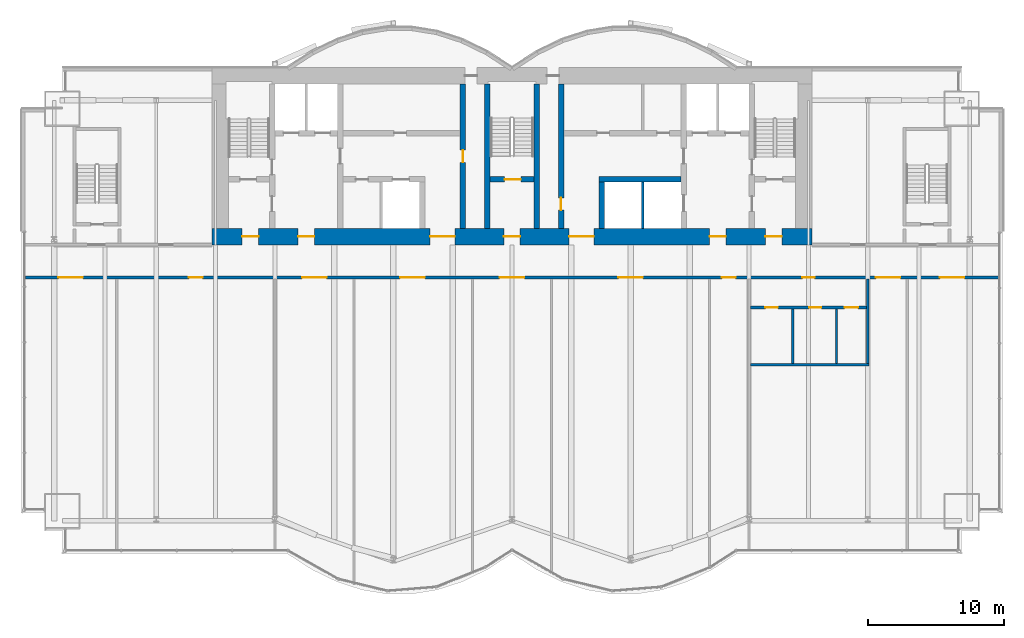
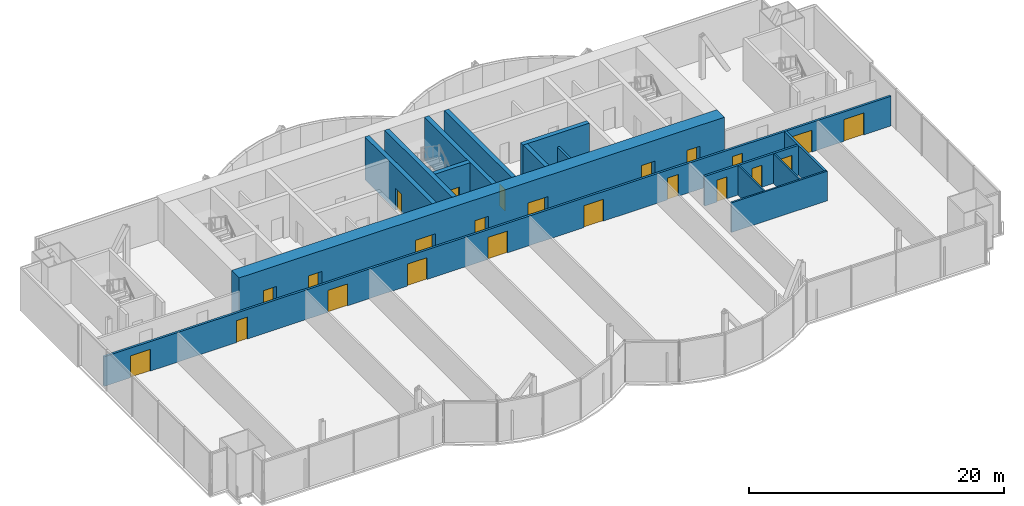
# One storey, part 17 of 22: 23 doors, 15 walls, 23 openings.
"""IFC4 building model written with IfcOpenShell, lengths in metres."""

from ifc_helpers import new_model, si_unit, direction, frame, frame_2d, origin, place, context, subcontext, project, spatial, rectangle, extrude, material, layer, layer_set, type_object, element, fill, save


model = new_model("IFC4")

# Units and contexts
model_context = context("Model", 3, precision=1e-05, world=origin(), true_north=direction((0.0, 1.0)))
body_context = subcontext(model_context, "Body", "Model", "MODEL_VIEW")
ifc_project = project(units=[si_unit("LENGTHUNIT", "METRE"), si_unit("AREAUNIT", "SQUARE_METRE"), si_unit("VOLUMEUNIT", "CUBIC_METRE"), si_unit("PLANEANGLEUNIT", "RADIAN"), si_unit("MASSUNIT", "GRAM", prefix="KILO")], contexts=[model_context])

# Site, building, storey
site_placement = place(None, origin())
site = spatial("IfcSite", under=ifc_project, at=site_placement, CompositionType="ELEMENT")
building_placement = place(site_placement, origin())
building = spatial("IfcBuilding", under=site, at=building_placement, Name="Bicima Exchange Tower", CompositionType="ELEMENT")
storey_placement = place(building_placement, frame((0.0, 0.0, 148.60009765625)))
storey = spatial("IfcBuildingStorey", under=building, at=storey_placement, Name="L32", CompositionType="ELEMENT", Elevation=148.60009765625)

# Wall
ifc_material_1 = material(Name="Gypsum board partition")
ifc_layer_1 = layer(ifc_material_1, 0.199951171875)
ifc_layer_set_1 = layer_set([ifc_layer_1], Name="Gypsum board partition")
wall_type_1 = type_object("IfcWallType", Name="Fire-rated gypsum partition 200 EI120", PredefinedType="PARTITIONING", material=ifc_layer_set_1)
wall_1_placement = place(storey_placement, frame((9.60009765625, -11.800048828125, 0.0), z_axis=(0.0, 0.0, 1.0), x_axis=(0.0, 1.0, 0.0)))
element("IfcWall", 1, at=wall_1_placement, inside=storey, type_object=wall_type_1, Name="partition wall 18", PredefinedType="PARTITIONING", context=body_context, shape_type="SweptSolid", body=[
    extrude(rectangle(XDim=3.400146484375, YDim=0.199951171875, at=frame_2d((1.7001953125, 0.0))), origin(), (0.0, 0.0, 1.0), 2.840087890625),
])

# Wall, openings, doors
ifc_layer_2 = layer(ifc_material_1, 0.199951171875)
ifc_layer_set_2 = layer_set([ifc_layer_2], Name="Gypsum board partition")
wall_type_2 = type_object("IfcWallType", Name="Fire-rated gypsum partition 200 EI60", PredefinedType="PARTITIONING", material=ifc_layer_set_2)
wall_2_placement = place(storey_placement, frame((17.5, -17.60009765625, 0.0), z_axis=(0.0, 0.0, 1.0), x_axis=(1.0, 0.0, 0.0)))
wall_2 = element("IfcWall", 2, at=wall_2_placement, inside=storey, type_object=wall_type_2, Name="partition wall 2", PredefinedType="PARTITIONING", context=body_context, shape_type="SweptSolid", body=[
    extrude(rectangle(XDim=8.5, YDim=0.199951171875, at=frame_2d((4.25, 0.0))), origin(), (0.0, 0.0, 1.0), 2.840087890625),
])
opening_1_placement = place(wall_2_placement, frame((1.10009765625, 0.0, 0.0)))
opening_1 = element("IfcOpeningElement", 3, at=opening_1_placement, cuts=wall_2, Name="Opening L32-015", PredefinedType="OPENING", context=body_context, shape_type="SweptSolid", body=[
    extrude(rectangle(XDim=0.89990234375, YDim=2.10009765625, at=frame_2d((0.449951171875, 1.050048828125))), frame((0.0, 0.11181640625, 0.0), z_axis=(0.0, -1.0, 0.0), x_axis=(1.0, 0.0, 0.0)), (0.0, 0.0, 1.0), 0.223876953125),
])
opening_2_placement = place(wall_2_placement, frame((4.300048828125, 0.0, 0.0)))
opening_2 = element("IfcOpeningElement", 4, at=opening_2_placement, cuts=wall_2, Name="Opening L32-016", PredefinedType="OPENING", context=body_context, shape_type="SweptSolid", body=[
    extrude(rectangle(XDim=0.89990234375, YDim=2.10009765625, at=frame_2d((0.449951171875, 1.050048828125))), frame((0.0, 0.11181640625, 0.0), z_axis=(0.0, -1.0, 0.0), x_axis=(1.0, 0.0, 0.0)), (0.0, 0.0, 1.0), 0.223876953125),
])
opening_3_placement = place(wall_2_placement, frame((6.89990234375, 0.0, 0.0)))
opening_3 = element("IfcOpeningElement", 5, at=opening_3_placement, cuts=wall_2, Name="Opening L32-017", PredefinedType="OPENING", context=body_context, shape_type="SweptSolid", body=[
    extrude(rectangle(XDim=1.0, YDim=2.10009765625, at=frame_2d((0.5, 1.050048828125))), frame((0.0, 0.11181640625, 0.0), z_axis=(0.0, -1.0, 0.0), x_axis=(1.0, 0.0, 0.0)), (0.0, 0.0, 1.0), 0.223876953125),
])
ifc_material_2 = material(Name="Steel fire door leaf", Category="steel")
door_type_1 = type_object("IfcDoorType", Name="Door 1000 swing FD30S", OperationType="SINGLE_SWING_LEFT", PredefinedType="DOOR", material=ifc_material_2)
door_1_placement = place(opening_3_placement, frame((1.0, 0.0, 0.0), z_axis=(0.0, 0.0, 1.0), x_axis=(-1.0, 0.0, 0.0)))
door_1 = element("IfcDoor", 6, at=door_1_placement, inside=storey, type_object=door_type_1, Name="Door", OperationType="SINGLE_SWING_RIGHT", OverallHeight=2.10009765625, OverallWidth=1.0, PredefinedType="DOOR", context=body_context, shape_type="SweptSolid", body=[
    extrude(rectangle(XDim=1.0, YDim=2.10009765625, at=frame_2d((0.5, 1.050048828125))), frame((0.0, 0.02490234375, 0.0), z_axis=(0.0, -1.0, 0.0), x_axis=(1.0, 0.0, 0.0)), (0.0, 0.0, 1.0), 0.050048828125),
])
fill(opening_3, door_1)
door_type_2 = type_object("IfcDoorType", Name="Door 900 swing FD30S", OperationType="SINGLE_SWING_LEFT", PredefinedType="DOOR", material=ifc_material_2)
door_2_placement = place(opening_1_placement, frame((0.89990234375, 0.0, 0.0), z_axis=(0.0, 0.0, 1.0), x_axis=(-1.0, 0.0, 0.0)))
door_2 = element("IfcDoor", 7, at=door_2_placement, inside=storey, type_object=door_type_2, Name="Door", OperationType="SINGLE_SWING_RIGHT", OverallHeight=2.10009765625, OverallWidth=0.89990234375, PredefinedType="DOOR", context=body_context, shape_type="SweptSolid", body=[
    extrude(rectangle(XDim=0.89990234375, YDim=2.10009765625, at=frame_2d((0.449951171875, 1.050048828125))), frame((0.0, 0.02490234375, 0.0), z_axis=(0.0, -1.0, 0.0), x_axis=(1.0, 0.0, 0.0)), (0.0, 0.0, 1.0), 0.050048828125),
])
fill(opening_1, door_2)
door_3_placement = place(opening_2_placement, frame((0.89990234375, 0.0, 0.0), z_axis=(0.0, 0.0, 1.0), x_axis=(-1.0, 0.0, 0.0)))
door_3 = element("IfcDoor", 8, at=door_3_placement, inside=storey, type_object=door_type_2, Name="Door", OperationType="SINGLE_SWING_LEFT", OverallHeight=2.10009765625, OverallWidth=0.89990234375, PredefinedType="DOOR", context=body_context, shape_type="SweptSolid", body=[
    extrude(rectangle(XDim=0.89990234375, YDim=2.10009765625, at=frame_2d((0.449951171875, 1.050048828125))), frame((0.0, 0.02490234375, 0.0), z_axis=(0.0, -1.0, 0.0), x_axis=(1.0, 0.0, 0.0)), (0.0, 0.0, 1.0), 0.050048828125),
])
fill(opening_2, door_3)

wall_3_placement = place(storey_placement, frame((-35.679931640625, -15.39990234375, 0.0), z_axis=(0.0, 0.0, 1.0), x_axis=(1.0, 0.0, 0.0)))
wall_3 = element("IfcWall", 9, at=wall_3_placement, inside=storey, type_object=wall_type_2, Name="partition wall 3", PredefinedType="PARTITIONING", context=body_context, shape_type="SweptSolid", body=[
    extrude(rectangle(XDim=71.35986328125, YDim=0.199951171875, at=frame_2d((35.679931640625, 0.0))), origin(), (0.0, 0.0, 1.0), 2.840087890625),
])
opening_4_placement = place(wall_3_placement, frame((2.39990234375, 0.0, 0.0)))
opening_4 = element("IfcOpeningElement", 10, at=opening_4_placement, cuts=wall_3, Name="Opening L32-007", PredefinedType="OPENING", context=body_context, shape_type="SweptSolid", body=[
    extrude(rectangle(XDim=1.800048828125, YDim=2.10009765625, at=frame_2d((0.89990234375, 1.050048828125))), frame((0.0, 0.11181640625, 0.0), z_axis=(0.0, -1.0, 0.0), x_axis=(1.0, 0.0, 0.0)), (0.0, 0.0, 1.0), 0.223876953125),
])
opening_5_placement = place(wall_3_placement, frame((11.97998046875, 0.0, 0.0)))
opening_5 = element("IfcOpeningElement", 11, at=opening_5_placement, cuts=wall_3, Name="Opening L32-008", PredefinedType="OPENING", context=body_context, shape_type="SweptSolid", body=[
    extrude(rectangle(XDim=1.0, YDim=2.10009765625, at=frame_2d((0.5, 1.050048828125))), frame((0.0, 0.11181640625, 0.0), z_axis=(0.0, -1.0, 0.0), x_axis=(1.0, 0.0, 0.0)), (0.0, 0.0, 1.0), 0.223876953125),
])
opening_6_placement = place(wall_3_placement, frame((20.280029296875, 0.0, 0.0)))
opening_6 = element("IfcOpeningElement", 12, at=opening_6_placement, cuts=wall_3, Name="Opening L32-009", PredefinedType="OPENING", context=body_context, shape_type="SweptSolid", body=[
    extrude(rectangle(XDim=1.800048828125, YDim=2.10009765625, at=frame_2d((0.89990234375, 1.050048828125))), frame((0.0, 0.11181640625, 0.0), z_axis=(0.0, -1.0, 0.0), x_axis=(1.0, 0.0, 0.0)), (0.0, 0.0, 1.0), 0.223876953125),
])
opening_7_placement = place(wall_3_placement, frame((27.47998046875, 0.0, 0.0)))
opening_7 = element("IfcOpeningElement", 13, at=opening_7_placement, cuts=wall_3, Name="Opening L32-010", PredefinedType="OPENING", context=body_context, shape_type="SweptSolid", body=[
    extrude(rectangle(XDim=1.800048828125, YDim=2.10009765625, at=frame_2d((0.89990234375, 1.050048828125))), frame((0.0, 0.11181640625, 0.0), z_axis=(0.0, -1.0, 0.0), x_axis=(1.0, 0.0, 0.0)), (0.0, 0.0, 1.0), 0.223876953125),
])
opening_8_placement = place(wall_3_placement, frame((34.780029296875, 0.0, 0.0)))
opening_8 = element("IfcOpeningElement", 14, at=opening_8_placement, cuts=wall_3, Name="Opening L32-011", PredefinedType="OPENING", context=body_context, shape_type="SweptSolid", body=[
    extrude(rectangle(XDim=1.800048828125, YDim=2.10009765625, at=frame_2d((0.89990234375, 1.050048828125))), frame((0.0, 0.11181640625, 0.0), z_axis=(0.0, -1.0, 0.0), x_axis=(1.0, 0.0, 0.0)), (0.0, 0.0, 1.0), 0.223876953125),
])
opening_9_placement = place(wall_3_placement, frame((43.47998046875, 0.0, 0.0)))
opening_9 = element("IfcOpeningElement", 15, at=opening_9_placement, cuts=wall_3, Name="Opening L32-012", PredefinedType="OPENING", context=body_context, shape_type="SweptSolid", body=[
    extrude(rectangle(XDim=1.800048828125, YDim=2.10009765625, at=frame_2d((0.89990234375, 1.050048828125))), frame((0.0, 0.11181640625, 0.0), z_axis=(0.0, -1.0, 0.0), x_axis=(1.0, 0.0, 0.0)), (0.0, 0.0, 1.0), 0.223876953125),
])
opening_10_placement = place(wall_3_placement, frame((51.080078125, 0.0, 0.0)))
opening_10 = element("IfcOpeningElement", 16, at=opening_10_placement, cuts=wall_3, Name="Opening L32-013", PredefinedType="OPENING", context=body_context, shape_type="SweptSolid", body=[
    extrude(rectangle(XDim=1.0, YDim=2.10009765625, at=frame_2d((0.5, 1.050048828125))), frame((0.0, 0.11181640625, 0.0), z_axis=(0.0, -1.0, 0.0), x_axis=(1.0, 0.0, 0.0)), (0.0, 0.0, 1.0), 0.223876953125),
])
opening_11_placement = place(wall_3_placement, frame((56.97998046875, 0.0, 0.0)))
opening_11 = element("IfcOpeningElement", 17, at=opening_11_placement, cuts=wall_3, Name="Opening L32-014", PredefinedType="OPENING", context=body_context, shape_type="SweptSolid", body=[
    extrude(rectangle(XDim=0.89990234375, YDim=2.10009765625, at=frame_2d((0.449951171875, 1.050048828125))), frame((0.0, 0.11181640625, 0.0), z_axis=(0.0, -1.0, 0.0), x_axis=(1.0, 0.0, 0.0)), (0.0, 0.0, 1.0), 0.223876953125),
])
opening_12_placement = place(wall_3_placement, frame((62.3798828125, 0.0, 0.0)))
opening_12 = element("IfcOpeningElement", 18, at=opening_12_placement, cuts=wall_3, Name="Opening L32-018", PredefinedType="OPENING", context=body_context, shape_type="SweptSolid", body=[
    extrude(rectangle(XDim=1.800048828125, YDim=2.10009765625, at=frame_2d((0.89990234375, 1.050048828125))), frame((0.0, 0.11181640625, 0.0), z_axis=(0.0, -1.0, 0.0), x_axis=(1.0, 0.0, 0.0)), (0.0, 0.0, 1.0), 0.223876953125),
])
opening_13_placement = place(wall_3_placement, frame((67.080078125, 0.0, 0.0)))
opening_13 = element("IfcOpeningElement", 19, at=opening_13_placement, cuts=wall_3, Name="Opening L32-019", PredefinedType="OPENING", context=body_context, shape_type="SweptSolid", body=[
    extrude(rectangle(XDim=1.800048828125, YDim=2.10009765625, at=frame_2d((0.89990234375, 1.050048828125))), frame((0.0, 0.11181640625, 0.0), z_axis=(0.0, -1.0, 0.0), x_axis=(1.0, 0.0, 0.0)), (0.0, 0.0, 1.0), 0.223876953125),
])
door_4_placement = place(opening_5_placement, frame((1.0, 0.0, 0.0), z_axis=(0.0, 0.0, 1.0), x_axis=(-1.0, 0.0, 0.0)))
door_4 = element("IfcDoor", 20, at=door_4_placement, inside=storey, type_object=door_type_1, Name="Door", OperationType="SINGLE_SWING_RIGHT", OverallHeight=2.10009765625, OverallWidth=1.0, PredefinedType="DOOR", context=body_context, shape_type="SweptSolid", body=[
    extrude(rectangle(XDim=1.0, YDim=2.10009765625, at=frame_2d((0.5, 1.050048828125))), frame((0.0, 0.02490234375, 0.0), z_axis=(0.0, -1.0, 0.0), x_axis=(1.0, 0.0, 0.0)), (0.0, 0.0, 1.0), 0.050048828125),
])
fill(opening_5, door_4)
door_5_placement = place(opening_10_placement, frame((1.0, 0.0, 0.0), z_axis=(0.0, 0.0, 1.0), x_axis=(-1.0, 0.0, 0.0)))
door_5 = element("IfcDoor", 21, at=door_5_placement, inside=storey, type_object=door_type_1, Name="Door", OperationType="SINGLE_SWING_LEFT", OverallHeight=2.10009765625, OverallWidth=1.0, PredefinedType="DOOR", context=body_context, shape_type="SweptSolid", body=[
    extrude(rectangle(XDim=1.0, YDim=2.10009765625, at=frame_2d((0.5, 1.050048828125))), frame((0.0, 0.02490234375, 0.0), z_axis=(0.0, -1.0, 0.0), x_axis=(1.0, 0.0, 0.0)), (0.0, 0.0, 1.0), 0.050048828125),
])
fill(opening_10, door_5)
door_type_3 = type_object("IfcDoorType", Name="Door 1800 double swing FD30S", OperationType="DOUBLE_DOOR_SINGLE_SWING", PredefinedType="DOOR", material=ifc_material_2)
door_6_placement = place(opening_4_placement, origin())
door_6 = element("IfcDoor", 22, at=door_6_placement, inside=storey, type_object=door_type_3, Name="Door", OperationType="SINGLE_SWING_LEFT", OverallHeight=2.10009765625, OverallWidth=1.800048828125, PredefinedType="DOOR", context=body_context, shape_type="SweptSolid", body=[
    extrude(rectangle(XDim=1.800048828125, YDim=2.10009765625, at=frame_2d((0.89990234375, 1.050048828125))), frame((0.0, 0.02490234375, 0.0), z_axis=(0.0, -1.0, 0.0), x_axis=(1.0, 0.0, 0.0)), (0.0, 0.0, 1.0), 0.050048828125),
])
fill(opening_4, door_6)
door_7_placement = place(opening_6_placement, origin())
door_7 = element("IfcDoor", 23, at=door_7_placement, inside=storey, type_object=door_type_3, Name="Door", OperationType="SINGLE_SWING_LEFT", OverallHeight=2.10009765625, OverallWidth=1.800048828125, PredefinedType="DOOR", context=body_context, shape_type="SweptSolid", body=[
    extrude(rectangle(XDim=1.800048828125, YDim=2.10009765625, at=frame_2d((0.89990234375, 1.050048828125))), frame((0.0, 0.02490234375, 0.0), z_axis=(0.0, -1.0, 0.0), x_axis=(1.0, 0.0, 0.0)), (0.0, 0.0, 1.0), 0.050048828125),
])
fill(opening_6, door_7)
door_8_placement = place(opening_7_placement, origin())
door_8 = element("IfcDoor", 24, at=door_8_placement, inside=storey, type_object=door_type_3, Name="Door", OperationType="SINGLE_SWING_LEFT", OverallHeight=2.10009765625, OverallWidth=1.800048828125, PredefinedType="DOOR", context=body_context, shape_type="SweptSolid", body=[
    extrude(rectangle(XDim=1.800048828125, YDim=2.10009765625, at=frame_2d((0.89990234375, 1.050048828125))), frame((0.0, 0.02490234375, 0.0), z_axis=(0.0, -1.0, 0.0), x_axis=(1.0, 0.0, 0.0)), (0.0, 0.0, 1.0), 0.050048828125),
])
fill(opening_7, door_8)
door_9_placement = place(opening_8_placement, origin())
door_9 = element("IfcDoor", 25, at=door_9_placement, inside=storey, type_object=door_type_3, Name="Door", OperationType="SINGLE_SWING_LEFT", OverallHeight=2.10009765625, OverallWidth=1.800048828125, PredefinedType="DOOR", context=body_context, shape_type="SweptSolid", body=[
    extrude(rectangle(XDim=1.800048828125, YDim=2.10009765625, at=frame_2d((0.89990234375, 1.050048828125))), frame((0.0, 0.02490234375, 0.0), z_axis=(0.0, -1.0, 0.0), x_axis=(1.0, 0.0, 0.0)), (0.0, 0.0, 1.0), 0.050048828125),
])
fill(opening_8, door_9)
door_10_placement = place(opening_9_placement, origin())
door_10 = element("IfcDoor", 26, at=door_10_placement, inside=storey, type_object=door_type_3, Name="Door", OperationType="SINGLE_SWING_LEFT", OverallHeight=2.10009765625, OverallWidth=1.800048828125, PredefinedType="DOOR", context=body_context, shape_type="SweptSolid", body=[
    extrude(rectangle(XDim=1.800048828125, YDim=2.10009765625, at=frame_2d((0.89990234375, 1.050048828125))), frame((0.0, 0.02490234375, 0.0), z_axis=(0.0, -1.0, 0.0), x_axis=(1.0, 0.0, 0.0)), (0.0, 0.0, 1.0), 0.050048828125),
])
fill(opening_9, door_10)
door_11_placement = place(opening_12_placement, origin())
door_11 = element("IfcDoor", 27, at=door_11_placement, inside=storey, type_object=door_type_3, Name="Door", OperationType="SINGLE_SWING_LEFT", OverallHeight=2.10009765625, OverallWidth=1.800048828125, PredefinedType="DOOR", context=body_context, shape_type="SweptSolid", body=[
    extrude(rectangle(XDim=1.800048828125, YDim=2.10009765625, at=frame_2d((0.89990234375, 1.050048828125))), frame((0.0, 0.02490234375, 0.0), z_axis=(0.0, -1.0, 0.0), x_axis=(1.0, 0.0, 0.0)), (0.0, 0.0, 1.0), 0.050048828125),
])
fill(opening_12, door_11)
door_12_placement = place(opening_13_placement, origin())
door_12 = element("IfcDoor", 28, at=door_12_placement, inside=storey, type_object=door_type_3, Name="Door", OperationType="SINGLE_SWING_LEFT", OverallHeight=2.10009765625, OverallWidth=1.800048828125, PredefinedType="DOOR", context=body_context, shape_type="SweptSolid", body=[
    extrude(rectangle(XDim=1.800048828125, YDim=2.10009765625, at=frame_2d((0.89990234375, 1.050048828125))), frame((0.0, 0.02490234375, 0.0), z_axis=(0.0, -1.0, 0.0), x_axis=(1.0, 0.0, 0.0)), (0.0, 0.0, 1.0), 0.050048828125),
])
fill(opening_13, door_12)
door_13_placement = place(opening_11_placement, frame((0.89990234375, 0.0, 0.0), z_axis=(0.0, 0.0, 1.0), x_axis=(-1.0, 0.0, 0.0)))
door_13 = element("IfcDoor", 29, at=door_13_placement, inside=storey, type_object=door_type_2, Name="Door", OperationType="SINGLE_SWING_RIGHT", OverallHeight=2.10009765625, OverallWidth=0.89990234375, PredefinedType="DOOR", context=body_context, shape_type="SweptSolid", body=[
    extrude(rectangle(XDim=0.89990234375, YDim=2.10009765625, at=frame_2d((0.449951171875, 1.050048828125))), frame((0.0, 0.02490234375, 0.0), z_axis=(0.0, -1.0, 0.0), x_axis=(1.0, 0.0, 0.0)), (0.0, 0.0, 1.0), 0.050048828125),
])
fill(opening_11, door_13)

# Walls
wall_4_placement = place(storey_placement, frame((26.10009765625, -21.72509765625, 0.0), z_axis=(0.0, 0.0, 1.0), x_axis=(0.0, 1.0, 0.0)))
element("IfcWall", 30, at=wall_4_placement, inside=storey, type_object=wall_type_2, Name="partition wall 25", PredefinedType="PARTITIONING", context=body_context, shape_type="SweptSolid", body=[
    extrude(rectangle(XDim=6.22509765625, YDim=0.199951171875, at=frame_2d((3.112548828125, 0.0))), origin(), (0.0, 0.0, 1.0), 2.840087890625),
])
ifc_layer_3 = layer(ifc_material_1, 0.14990234375)
ifc_layer_set_3 = layer_set([ifc_layer_3], Name="Gypsum board partition")
wall_type_3 = type_object("IfcWallType", Name="Gypsum partition 150", PredefinedType="PARTITIONING", material=ifc_layer_set_3)
wall_5_placement = place(storey_placement, frame((17.5, -21.800048828125, 0.0), z_axis=(0.0, 0.0, 1.0), x_axis=(1.0, 0.0, 0.0)))
element("IfcWall", 31, at=wall_5_placement, inside=storey, type_object=wall_type_3, Name="partition wall 1", PredefinedType="PARTITIONING", context=body_context, shape_type="SweptSolid", body=[
    extrude(rectangle(XDim=8.699951171875, YDim=0.14990234375, at=frame_2d((4.35009765625, 0.0))), origin(), (0.0, 0.0, 1.0), 2.840087890625),
])
for number, where, z_axis, x_axis, name in (
    (32, (20.60009765625, -21.72509765625, 0.0), (0.0, 0.0, 1.0), (0.0, 1.0, 0.0), "partition wall 23"),
    (33, (23.800048828125, -21.72509765625, 0.0), (0.0, 0.0, 1.0), (0.0, 1.0, 0.0), "partition wall 24"),
):
    element("IfcWall", number, at=place(storey_placement, frame(where, z_axis=z_axis, x_axis=x_axis)), inside=storey, type_object=wall_type_3, Name=name, PredefinedType="PARTITIONING", context=body_context, shape_type="SweptSolid", body=[
        extrude(rectangle(XDim=4.025146484375, YDim=0.14990234375, at=frame_2d((2.0126953125, 0.0))), origin(), (0.0, 0.0, 1.0), 2.840087890625),
    ])

# Wall, openings, doors
ifc_material_3 = material(Name="Concrete C50/60", Category="concrete")
ifc_layer_4 = layer(ifc_material_3, 1.199951171875)
ifc_layer_set_4 = layer_set([ifc_layer_4], Name="Concrete C50/60")
wall_type_4 = type_object("IfcWallType", Name="RC core wall 1200 C50/60", PredefinedType="SHEAR", material=ifc_layer_set_4)
wall_6_placement = place(storey_placement, frame((-22.0, -12.39990234375, 0.0), z_axis=(0.0, 0.0, 1.0), x_axis=(1.0, 0.0, 0.0)))
wall_6 = element("IfcWall", 34, at=wall_6_placement, inside=storey, type_object=wall_type_4, Name="Core wall south", PredefinedType="SHEAR", context=body_context, shape_type="SweptSolid", body=[
    extrude(rectangle(XDim=44.0, YDim=1.199951171875, at=frame_2d((22.0, 0.0))), origin(), (0.0, 0.0, 1.0), 4.099853515625),
])
opening_14_placement = place(wall_6_placement, frame((2.199951171875, 0.0, 0.0)))
opening_14 = element("IfcOpeningElement", 35, at=opening_14_placement, cuts=wall_6, Name="Opening L32-C18", PredefinedType="OPENING", context=body_context, shape_type="SweptSolid", body=[
    extrude(rectangle(XDim=1.199951171875, YDim=2.10009765625, at=frame_2d((0.60009765625, 1.050048828125))), frame((0.0, 0.61181640625, 0.0), z_axis=(0.0, -1.0, 0.0), x_axis=(1.0, 0.0, 0.0)), (0.0, 0.0, 1.0), 1.223876953125),
])
opening_15_placement = place(wall_6_placement, frame((21.39990234375, 0.0, 0.0)))
opening_15 = element("IfcOpeningElement", 36, at=opening_15_placement, cuts=wall_6, Name="Opening L32-C19", PredefinedType="OPENING", context=body_context, shape_type="SweptSolid", body=[
    extrude(rectangle(XDim=1.199951171875, YDim=2.10009765625, at=frame_2d((0.60009765625, 1.050048828125))), frame((0.0, 0.61181640625, 0.0), z_axis=(0.0, -1.0, 0.0), x_axis=(1.0, 0.0, 0.0)), (0.0, 0.0, 1.0), 1.223876953125),
])
opening_16_placement = place(wall_6_placement, frame((40.60009765625, 0.0, 0.0)))
opening_16 = element("IfcOpeningElement", 37, at=opening_16_placement, cuts=wall_6, Name="Opening L32-C20", PredefinedType="OPENING", context=body_context, shape_type="SweptSolid", body=[
    extrude(rectangle(XDim=1.199951171875, YDim=2.10009765625, at=frame_2d((0.60009765625, 1.050048828125))), frame((0.0, 0.61181640625, 0.0), z_axis=(0.0, -1.0, 0.0), x_axis=(1.0, 0.0, 0.0)), (0.0, 0.0, 1.0), 1.223876953125),
])
opening_17_placement = place(wall_6_placement, frame((16.0, 0.0, 0.0)))
opening_17 = element("IfcOpeningElement", 38, at=opening_17_placement, cuts=wall_6, Name="Opening L32-C21", PredefinedType="OPENING", context=body_context, shape_type="SweptSolid", body=[
    extrude(rectangle(XDim=1.800048828125, YDim=2.10009765625, at=frame_2d((0.89990234375, 1.050048828125))), frame((0.0, 0.61181640625, 0.0), z_axis=(0.0, -1.0, 0.0), x_axis=(1.0, 0.0, 0.0)), (0.0, 0.0, 1.0), 1.223876953125),
])
opening_18_placement = place(wall_6_placement, frame((6.300048828125, 0.0, 0.0)))
opening_18 = element("IfcOpeningElement", 39, at=opening_18_placement, cuts=wall_6, Name="Opening L32-C22", PredefinedType="OPENING", context=body_context, shape_type="SweptSolid", body=[
    extrude(rectangle(XDim=1.199951171875, YDim=2.10009765625, at=frame_2d((0.60009765625, 1.050048828125))), frame((0.0, 0.61181640625, 0.0), z_axis=(0.0, -1.0, 0.0), x_axis=(1.0, 0.0, 0.0)), (0.0, 0.0, 1.0), 1.223876953125),
])
opening_19_placement = place(wall_6_placement, frame((26.199951171875, 0.0, 0.0)))
opening_19 = element("IfcOpeningElement", 40, at=opening_19_placement, cuts=wall_6, Name="Opening L32-C23", PredefinedType="OPENING", context=body_context, shape_type="SweptSolid", body=[
    extrude(rectangle(XDim=1.800048828125, YDim=2.10009765625, at=frame_2d((0.89990234375, 1.050048828125))), frame((0.0, 0.61181640625, 0.0), z_axis=(0.0, -1.0, 0.0), x_axis=(1.0, 0.0, 0.0)), (0.0, 0.0, 1.0), 1.223876953125),
])
opening_20_placement = place(wall_6_placement, frame((36.5, 0.0, 0.0)))
opening_20 = element("IfcOpeningElement", 41, at=opening_20_placement, cuts=wall_6, Name="Opening L32-C24", PredefinedType="OPENING", context=body_context, shape_type="SweptSolid", body=[
    extrude(rectangle(XDim=1.199951171875, YDim=2.10009765625, at=frame_2d((0.60009765625, 1.050048828125))), frame((0.0, 0.61181640625, 0.0), z_axis=(0.0, -1.0, 0.0), x_axis=(1.0, 0.0, 0.0)), (0.0, 0.0, 1.0), 1.223876953125),
])
door_type_4 = type_object("IfcDoorType", Name="Door 1200 swing FD60S", OperationType="SINGLE_SWING_LEFT", PredefinedType="DOOR", material=ifc_material_2)
door_14_placement = place(opening_14_placement, frame((1.199951171875, 0.0, 0.0), z_axis=(0.0, 0.0, 1.0), x_axis=(-1.0, 0.0, 0.0)))
door_14 = element("IfcDoor", 42, at=door_14_placement, inside=storey, type_object=door_type_4, Name="Core door", OperationType="SINGLE_SWING_RIGHT", OverallHeight=2.10009765625, OverallWidth=1.199951171875, PredefinedType="DOOR", context=body_context, shape_type="SweptSolid", body=[
    extrude(rectangle(XDim=1.199951171875, YDim=2.10009765625, at=frame_2d((0.60009765625, 1.050048828125))), frame((0.0, 0.02490234375, 0.0), z_axis=(0.0, -1.0, 0.0), x_axis=(1.0, 0.0, 0.0)), (0.0, 0.0, 1.0), 0.050048828125),
])
fill(opening_14, door_14)
door_15_placement = place(opening_15_placement, frame((1.199951171875, 0.0, 0.0), z_axis=(0.0, 0.0, 1.0), x_axis=(-1.0, 0.0, 0.0)))
door_15 = element("IfcDoor", 43, at=door_15_placement, inside=storey, type_object=door_type_4, Name="Core door", OperationType="SINGLE_SWING_RIGHT", OverallHeight=2.10009765625, OverallWidth=1.199951171875, PredefinedType="DOOR", context=body_context, shape_type="SweptSolid", body=[
    extrude(rectangle(XDim=1.199951171875, YDim=2.10009765625, at=frame_2d((0.60009765625, 1.050048828125))), frame((0.0, 0.02490234375, 0.0), z_axis=(0.0, -1.0, 0.0), x_axis=(1.0, 0.0, 0.0)), (0.0, 0.0, 1.0), 0.050048828125),
])
fill(opening_15, door_15)
door_16_placement = place(opening_16_placement, frame((1.199951171875, 0.0, 0.0), z_axis=(0.0, 0.0, 1.0), x_axis=(-1.0, 0.0, 0.0)))
door_16 = element("IfcDoor", 44, at=door_16_placement, inside=storey, type_object=door_type_4, Name="Core door", OperationType="SINGLE_SWING_RIGHT", OverallHeight=2.10009765625, OverallWidth=1.199951171875, PredefinedType="DOOR", context=body_context, shape_type="SweptSolid", body=[
    extrude(rectangle(XDim=1.199951171875, YDim=2.10009765625, at=frame_2d((0.60009765625, 1.050048828125))), frame((0.0, 0.02490234375, 0.0), z_axis=(0.0, -1.0, 0.0), x_axis=(1.0, 0.0, 0.0)), (0.0, 0.0, 1.0), 0.050048828125),
])
fill(opening_16, door_16)
door_17_placement = place(opening_18_placement, frame((1.199951171875, 0.0, 0.0), z_axis=(0.0, 0.0, 1.0), x_axis=(-1.0, 0.0, 0.0)))
door_17 = element("IfcDoor", 45, at=door_17_placement, inside=storey, type_object=door_type_4, Name="Core door", OperationType="SINGLE_SWING_RIGHT", OverallHeight=2.10009765625, OverallWidth=1.199951171875, PredefinedType="DOOR", context=body_context, shape_type="SweptSolid", body=[
    extrude(rectangle(XDim=1.199951171875, YDim=2.10009765625, at=frame_2d((0.60009765625, 1.050048828125))), frame((0.0, 0.02490234375, 0.0), z_axis=(0.0, -1.0, 0.0), x_axis=(1.0, 0.0, 0.0)), (0.0, 0.0, 1.0), 0.050048828125),
])
fill(opening_18, door_17)
door_18_placement = place(opening_20_placement, frame((1.199951171875, 0.0, 0.0), z_axis=(0.0, 0.0, 1.0), x_axis=(-1.0, 0.0, 0.0)))
door_18 = element("IfcDoor", 46, at=door_18_placement, inside=storey, type_object=door_type_4, Name="Core door", OperationType="SINGLE_SWING_RIGHT", OverallHeight=2.10009765625, OverallWidth=1.199951171875, PredefinedType="DOOR", context=body_context, shape_type="SweptSolid", body=[
    extrude(rectangle(XDim=1.199951171875, YDim=2.10009765625, at=frame_2d((0.60009765625, 1.050048828125))), frame((0.0, 0.02490234375, 0.0), z_axis=(0.0, -1.0, 0.0), x_axis=(1.0, 0.0, 0.0)), (0.0, 0.0, 1.0), 0.050048828125),
])
fill(opening_20, door_18)
door_19_placement = place(opening_17_placement, origin())
door_19 = element("IfcDoor", 47, at=door_19_placement, inside=storey, type_object=door_type_3, Name="Core door", OperationType="SINGLE_SWING_LEFT", OverallHeight=2.10009765625, OverallWidth=1.800048828125, PredefinedType="DOOR", context=body_context, shape_type="SweptSolid", body=[
    extrude(rectangle(XDim=1.800048828125, YDim=2.10009765625, at=frame_2d((0.89990234375, 1.050048828125))), frame((0.0, 0.02490234375, 0.0), z_axis=(0.0, -1.0, 0.0), x_axis=(1.0, 0.0, 0.0)), (0.0, 0.0, 1.0), 0.050048828125),
])
fill(opening_17, door_19)
door_20_placement = place(opening_19_placement, origin())
door_20 = element("IfcDoor", 48, at=door_20_placement, inside=storey, type_object=door_type_3, Name="Core door", OperationType="SINGLE_SWING_LEFT", OverallHeight=2.10009765625, OverallWidth=1.800048828125, PredefinedType="DOOR", context=body_context, shape_type="SweptSolid", body=[
    extrude(rectangle(XDim=1.800048828125, YDim=2.10009765625, at=frame_2d((0.89990234375, 1.050048828125))), frame((0.0, 0.02490234375, 0.0), z_axis=(0.0, -1.0, 0.0), x_axis=(1.0, 0.0, 0.0)), (0.0, 0.0, 1.0), 0.050048828125),
])
fill(opening_19, door_20)

# Wall, opening, door
ifc_layer_5 = layer(ifc_material_3, 0.39990234375)
ifc_layer_set_5 = layer_set([ifc_layer_5], Name="Concrete C50/60")
wall_type_5 = type_object("IfcWallType", Name="RC core wall 400 C50/60", PredefinedType="SHEAR", material=ifc_layer_set_5)
wall_7_placement = place(storey_placement, frame((-1.60009765625, -8.199951171875, 0.0), z_axis=(0.0, 0.0, 1.0), x_axis=(1.0, 0.0, 0.0)))
wall_7 = element("IfcWall", 49, at=wall_7_placement, inside=storey, type_object=wall_type_5, Name="stair wall 3", PredefinedType="SHEAR", context=body_context, shape_type="SweptSolid", body=[
    extrude(rectangle(XDim=3.2001953125, YDim=0.39990234375, at=frame_2d((1.60009765625, 0.0))), origin(), (0.0, 0.0, 1.0), 4.099853515625),
])
opening_21_placement = place(wall_7_placement, frame((1.050048828125, 0.0, 0.0)))
opening_21 = element("IfcOpeningElement", 50, at=opening_21_placement, cuts=wall_7, Name="Opening L32-C03", PredefinedType="OPENING", context=body_context, shape_type="SweptSolid", body=[
    extrude(rectangle(XDim=1.199951171875, YDim=2.10009765625, at=frame_2d((0.60009765625, 1.050048828125))), frame((0.0, 0.2119140625, 0.0), z_axis=(0.0, -1.0, 0.0), x_axis=(1.0, 0.0, 0.0)), (0.0, 0.0, 1.0), 0.423828125),
])
door_21_placement = place(opening_21_placement, origin())
door_21 = element("IfcDoor", 51, at=door_21_placement, inside=storey, type_object=door_type_4, Name="Core door", OperationType="SINGLE_SWING_LEFT", OverallHeight=2.10009765625, OverallWidth=1.199951171875, PredefinedType="DOOR", context=body_context, shape_type="SweptSolid", body=[
    extrude(rectangle(XDim=1.199951171875, YDim=2.10009765625, at=frame_2d((0.60009765625, 1.050048828125))), frame((0.0, 0.02490234375, 0.0), z_axis=(0.0, -1.0, 0.0), x_axis=(1.0, 0.0, 0.0)), (0.0, 0.0, 1.0), 0.050048828125),
])
fill(opening_21, door_21)

# Wall
wall_8_placement = place(storey_placement, frame((6.39990234375, -8.199951171875, 0.0), z_axis=(0.0, 0.0, 1.0), x_axis=(1.0, 0.0, 0.0)))
element("IfcWall", 52, at=wall_8_placement, inside=storey, type_object=wall_type_5, Name="shear wall 4", PredefinedType="SHEAR", context=body_context, shape_type="SweptSolid", body=[
    extrude(rectangle(XDim=6.0, YDim=0.39990234375, at=frame_2d((3.0, 0.0))), origin(), (0.0, 0.0, 1.0), 4.099853515625),
])

# Wall, opening, door
wall_9_placement = place(storey_placement, frame((-3.60009765625, -11.800048828125, 0.0), z_axis=(0.0, 0.0, 1.0), x_axis=(0.0, 1.0, 0.0)))
wall_9 = element("IfcWall", 53, at=wall_9_placement, inside=storey, type_object=wall_type_5, Name="shear wall 13", PredefinedType="SHEAR", context=body_context, shape_type="SweptSolid", body=[
    extrude(rectangle(XDim=10.60009765625, YDim=0.39990234375, at=frame_2d((5.300048828125, 0.0))), origin(), (0.0, 0.0, 1.0), 4.099853515625),
])
opening_22_placement = place(wall_9_placement, frame((4.85009765625, 0.0, 0.0)))
opening_22 = element("IfcOpeningElement", 54, at=opening_22_placement, cuts=wall_9, Name="Opening L32-C10", PredefinedType="OPENING", context=body_context, shape_type="SweptSolid", body=[
    extrude(rectangle(XDim=0.89990234375, YDim=2.10009765625, at=frame_2d((0.449951171875, 1.050048828125))), frame((0.0, 0.2119140625, 0.0), z_axis=(0.0, -1.0, 0.0), x_axis=(1.0, 0.0, 0.0)), (0.0, 0.0, 1.0), 0.423828125),
])
door_22_placement = place(opening_22_placement, frame((0.89990234375, 0.0, 0.0), z_axis=(0.0, 0.0, 1.0), x_axis=(-1.0, 0.0, 0.0)))
door_22 = element("IfcDoor", 55, at=door_22_placement, inside=storey, type_object=door_type_2, Name="Core door", OperationType="SINGLE_SWING_LEFT", OverallHeight=2.10009765625, OverallWidth=0.89990234375, PredefinedType="DOOR", context=body_context, shape_type="SweptSolid", body=[
    extrude(rectangle(XDim=0.89990234375, YDim=2.10009765625, at=frame_2d((0.449951171875, 1.050048828125))), frame((0.0, 0.02490234375, 0.0), z_axis=(0.0, -1.0, 0.0), x_axis=(1.0, 0.0, 0.0)), (0.0, 0.0, 1.0), 0.050048828125),
])
fill(opening_22, door_22)

# Walls
for number, where, z_axis, x_axis, name in (
    (56, (-1.800048828125, -11.800048828125, 0.0), (0.0, 0.0, 1.0), (0.0, 1.0, 0.0), "stair wall 14"),
    (57, (1.800048828125, -11.800048828125, 0.0), (0.0, 0.0, 1.0), (0.0, 1.0, 0.0), "stair wall 15"),
):
    element("IfcWall", number, at=place(storey_placement, frame(where, z_axis=z_axis, x_axis=x_axis)), inside=storey, type_object=wall_type_5, Name=name, PredefinedType="SHEAR", context=body_context, shape_type="SweptSolid", body=[
        extrude(rectangle(XDim=10.60009765625, YDim=0.39990234375, at=frame_2d((5.300048828125, 0.0))), origin(), (0.0, 0.0, 1.0), 4.099853515625),
    ])

# Wall, opening, door
wall_10_placement = place(storey_placement, frame((3.60009765625, -11.800048828125, 0.0), z_axis=(0.0, 0.0, 1.0), x_axis=(0.0, 1.0, 0.0)))
wall_10 = element("IfcWall", 58, at=wall_10_placement, inside=storey, type_object=wall_type_5, Name="shear wall 16", PredefinedType="SHEAR", context=body_context, shape_type="SweptSolid", body=[
    extrude(rectangle(XDim=10.60009765625, YDim=0.39990234375, at=frame_2d((5.300048828125, 0.0))), origin(), (0.0, 0.0, 1.0), 4.099853515625),
])
opening_23_placement = place(wall_10_placement, frame((1.35009765625, 0.0, 0.0)))
opening_23 = element("IfcOpeningElement", 59, at=opening_23_placement, cuts=wall_10, Name="Opening L32-C11", PredefinedType="OPENING", context=body_context, shape_type="SweptSolid", body=[
    extrude(rectangle(XDim=0.89990234375, YDim=2.10009765625, at=frame_2d((0.449951171875, 1.050048828125))), frame((0.0, 0.2119140625, 0.0), z_axis=(0.0, -1.0, 0.0), x_axis=(1.0, 0.0, 0.0)), (0.0, 0.0, 1.0), 0.423828125),
])
door_23_placement = place(opening_23_placement, origin())
door_23 = element("IfcDoor", 60, at=door_23_placement, inside=storey, type_object=door_type_2, Name="Core door", OperationType="SINGLE_SWING_LEFT", OverallHeight=2.10009765625, OverallWidth=0.89990234375, PredefinedType="DOOR", context=body_context, shape_type="SweptSolid", body=[
    extrude(rectangle(XDim=0.89990234375, YDim=2.10009765625, at=frame_2d((0.449951171875, 1.050048828125))), frame((0.0, 0.02490234375, 0.0), z_axis=(0.0, -1.0, 0.0), x_axis=(1.0, 0.0, 0.0)), (0.0, 0.0, 1.0), 0.050048828125),
])
fill(opening_23, door_23)

# Wall
wall_11_placement = place(storey_placement, frame((6.60009765625, -11.800048828125, 0.0), z_axis=(0.0, 0.0, 1.0), x_axis=(0.0, 1.0, 0.0)))
element("IfcWall", 61, at=wall_11_placement, inside=storey, type_object=wall_type_5, Name="shear wall 17", PredefinedType="SHEAR", context=body_context, shape_type="SweptSolid", body=[
    extrude(rectangle(XDim=3.400146484375, YDim=0.39990234375, at=frame_2d((1.7001953125, 0.0))), origin(), (0.0, 0.0, 1.0), 4.099853515625),
])

save(model, "model.ifc")
